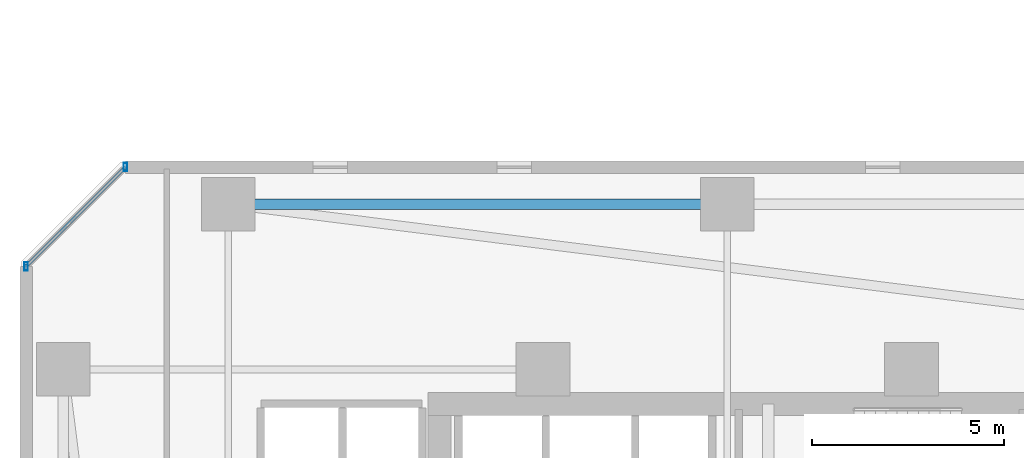
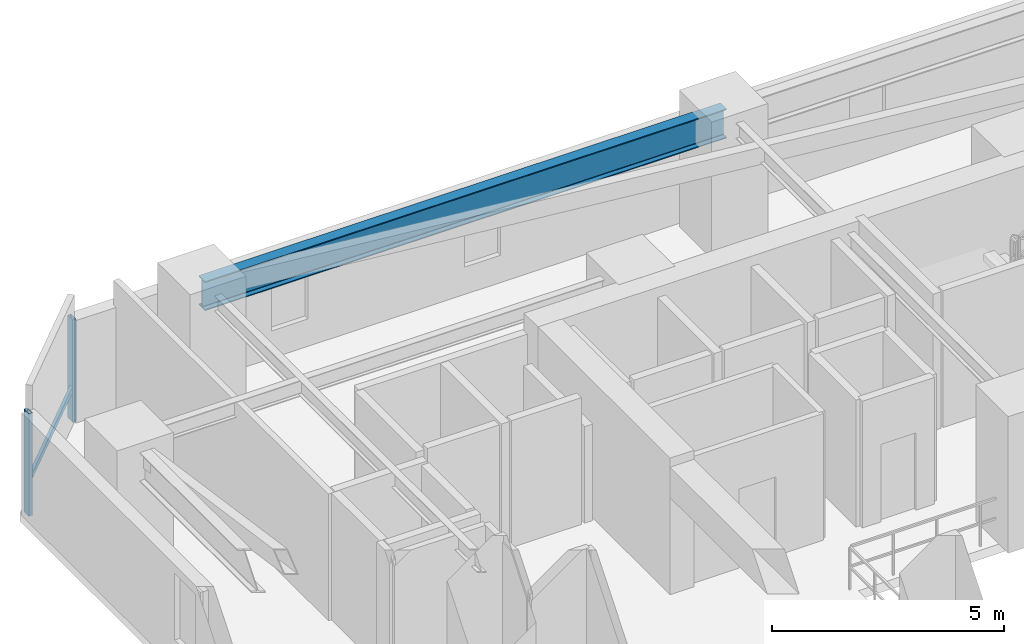
# One storey, part 8 of 34: 3 members, 1 beam, 1 element without a shape of its own.
"""IFC4 building model written with IfcOpenShell, lengths in metres."""

from ifc_helpers import new_model, si_unit, direction, frame, origin, origin_2d, place, context, subcontext, project, spatial, hollow_rectangle, i_section, extrude, material, material_profile, profile_set, type_object, element, aggregate, save


model = new_model("IFC4")

# Units and contexts
model_context = context("Model", 3, precision=1e-05, world=origin(), true_north=direction((0.0, 1.0)))
body_context = subcontext(model_context, "Body", "Model", "MODEL_VIEW")
ifc_project = project(units=[si_unit("LENGTHUNIT", "METRE"), si_unit("AREAUNIT", "SQUARE_METRE"), si_unit("VOLUMEUNIT", "CUBIC_METRE"), si_unit("PLANEANGLEUNIT", "RADIAN"), si_unit("MASSUNIT", "GRAM", prefix="KILO")], contexts=[model_context])

# Site, building, storey
site_placement = place(None, origin())
site = spatial("IfcSite", under=ifc_project, at=site_placement, CompositionType="ELEMENT")
building_placement = place(site_placement, origin())
building = spatial("IfcBuilding", under=site, at=building_placement, Name="Thornwick Lancets Civic Towers", CompositionType="ELEMENT")
storey_placement = place(building_placement, frame((0.0, 0.0, 57.300048828125)))
storey = spatial("IfcBuildingStorey", under=building, at=storey_placement, Name="L14", CompositionType="ELEMENT", Elevation=57.300048828125)

# Beam
ifc_material_1 = material(Name="Steel S355JR", Category="steel")
ifc_material_profile_1 = material_profile(ifc_material_1, i_section(OverallWidth=0.26806640625, OverallDepth=0.769775390625, WebThickness=0.015625, FlangeThickness=0.025390625, FilletRadius=0.0166015625, at=origin_2d()), Name="UKB 762x267x197")
ifc_profile_set_1 = profile_set([ifc_material_profile_1], Name="Steel S355JR")
beam_type = type_object("IfcBeamType", Name="BM_GIRD_762_197", PredefinedType="BEAM", material=ifc_profile_set_1)
beam_placement = place(storey_placement, frame((12.5, 44.300048828125, 2.97509765625), z_axis=(1.0, 0.0, 0.0), x_axis=(0.0, 1.0, 0.0)))
element("IfcBeam", 1, at=beam_placement, inside=storey, type_object=beam_type, Name="BM-SPINE-L14-A-6-7", PredefinedType="BEAM", context=body_context, shape_type="SweptSolid", body=[
    extrude(i_section(OverallWidth=0.26806640625, OverallDepth=0.769775390625, WebThickness=0.015625, FlangeThickness=0.025390625, FilletRadius=0.0166015625, at=origin_2d()), origin(), (0.0, 0.0, 1.0), 13.0),
])

# Curtain wall, members
ifc_material_2 = material(Name="Low-zone chamfered-corner unitised glass curtain wall", Category="glass")
curtain_wall_type = type_object("IfcCurtainWallType", Name="CW_SYS_03", PredefinedType="NOTDEFINED", material=ifc_material_2)
curtain_wall_placement = place(storey_placement, origin())
curtain_wall = element("IfcCurtainWall", 2, at=curtain_wall_placement, inside=storey, type_object=curtain_wall_type, Name="L14 Curtain Wall CW-L14-A-E5", PredefinedType="NOTDEFINED")
ifc_material_3 = material(Name="Thermally broken bronze aluminium S355", Category="steel")
ifc_material_profile_2 = material_profile(ifc_material_3, hollow_rectangle(XDim=0.090087890625, YDim=0.219970703125, WallThickness=0.00634765625, at=origin_2d()), Name="RHS 220x90x6.3")
ifc_profile_set_2 = profile_set([ifc_material_profile_2], Name="Thermally broken bronze aluminium S355")
member_type_1 = type_object("IfcMemberType", Name="CW_MUL_220", PredefinedType="MULLION", material=ifc_profile_set_2)
member_1_placement = place(storey_placement, frame((9.81884765625, 45.264892578125, 0.0), z_axis=(0.0, 0.0, 1.0), x_axis=(1.0, 0.0, 0.0)))
member_1 = element("IfcMember", 3, at=member_1_placement, type_object=member_type_1, Name="CW-L14-A-E5 Mullion 0", PredefinedType="MULLION", context=body_context, shape_type="SweptSolid", body=[
    extrude(hollow_rectangle(XDim=0.090087890625, YDim=0.219970703125, WallThickness=0.00634765625, at=origin_2d()), origin(), (0.0, 0.0, 1.0), 2.699951171875),
])
member_2_placement = place(storey_placement, frame((7.235107421875, 42.68115234375, 0.0), z_axis=(0.0, 0.0, 1.0), x_axis=(1.0, 0.0, 0.0)))
member_2 = element("IfcMember", 4, at=member_2_placement, type_object=member_type_1, Name="CW-L14-A-E5 Mullion 1", PredefinedType="MULLION", context=body_context, shape_type="SweptSolid", body=[
    extrude(hollow_rectangle(XDim=0.090087890625, YDim=0.219970703125, WallThickness=0.00634765625, at=origin_2d()), origin(), (0.0, 0.0, 1.0), 2.699951171875),
])
ifc_material_profile_3 = material_profile(ifc_material_3, hollow_rectangle(XDim=0.074951171875, YDim=0.14990234375, WallThickness=0.0048828125, at=origin_2d()), Name="RHS 150x75x5")
ifc_profile_set_3 = profile_set([ifc_material_profile_3], Name="Thermally broken bronze aluminium S355")
member_type_2 = type_object("IfcMemberType", Name="CW_TRN_150", PredefinedType="USERDEFINED", material=ifc_profile_set_3)
member_3_placement = place(storey_placement, frame((9.8046875, 45.250732421875, 0.849853515625), z_axis=(-0.707106781187, -0.707106781187, 0.0), x_axis=(0.707106781187, -0.707106781187, 0.0)))
member_3 = element("IfcMember", 5, at=member_3_placement, type_object=member_type_2, Name="CW-L14-A-E5 Transom 0", ObjectType="TRANSOM", PredefinedType="USERDEFINED", context=body_context, shape_type="SweptSolid", body=[
    extrude(hollow_rectangle(XDim=0.074951171875, YDim=0.14990234375, WallThickness=0.0048828125, at=origin_2d()), origin(), (0.0, 0.0, 1.0), 3.614013671875),
])
aggregate(curtain_wall, [member_1, member_2, member_3])

save(model, "model.ifc")
